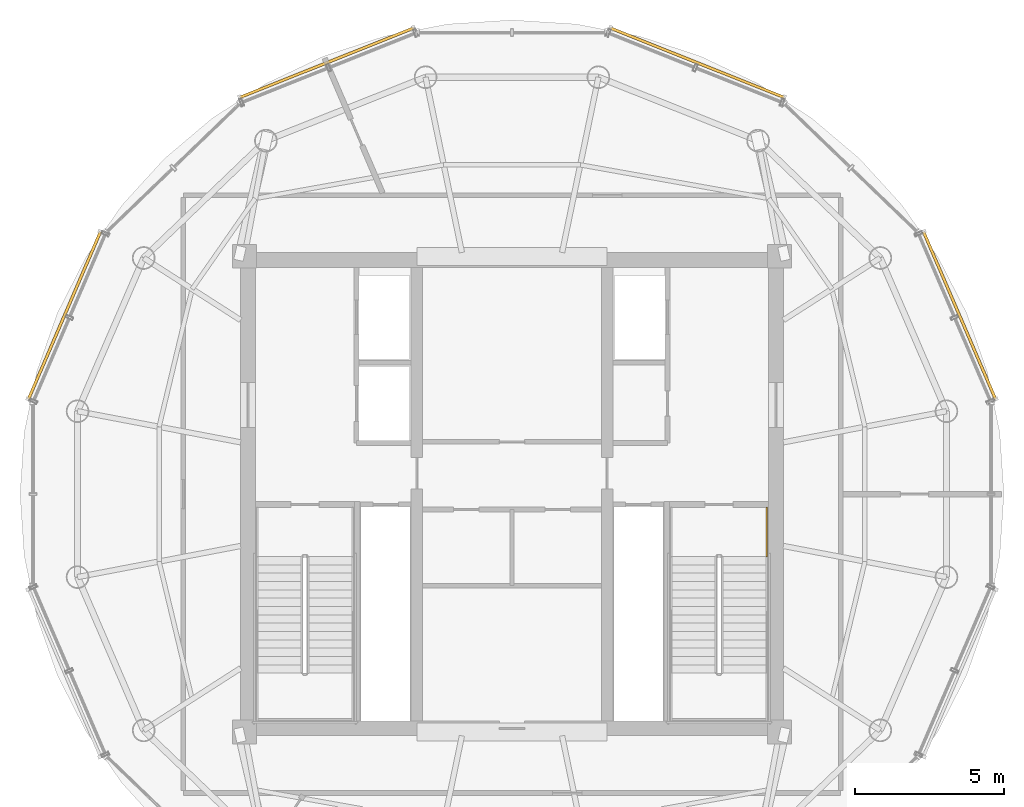
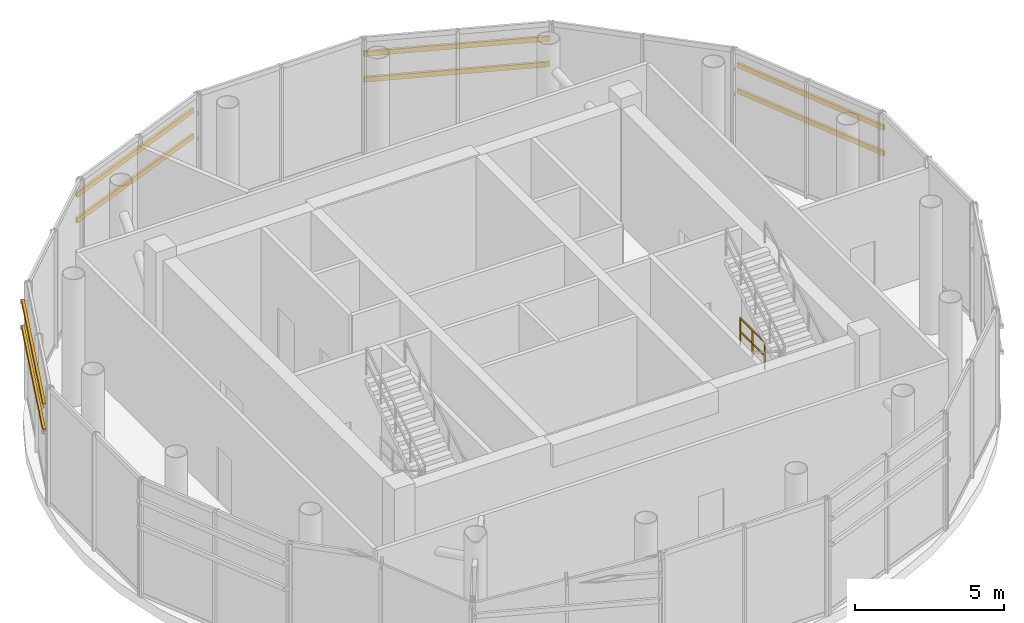
# One storey, part 14 of 14: 8 shading devices, 1 railing.
"""IFC4 building model written with IfcOpenShell, lengths in metres."""

from ifc_helpers import new_model, si_unit, direction, frame, origin, origin_2d, place, context, subcontext, project, spatial, rectangle, hollow_rectangle, extrude, source, transform, mapped, material, material_profile, profile_set, type_object, element, save


model = new_model("IFC4")

# Units and contexts
model_context = context("Model", 3, precision=1e-05, world=origin(), true_north=direction((-0.2419218956, 0.970295726276)))
body_context = subcontext(model_context, "Body", "Model", "MODEL_VIEW")
ifc_project = project(units=[si_unit("LENGTHUNIT", "METRE"), si_unit("AREAUNIT", "SQUARE_METRE"), si_unit("VOLUMEUNIT", "CUBIC_METRE"), si_unit("PLANEANGLEUNIT", "RADIAN"), si_unit("MASSUNIT", "GRAM", prefix="KILO")], contexts=[model_context])

# Site, building, storey
site_placement = place(None, origin())
site = spatial("IfcSite", under=ifc_project, at=site_placement, CompositionType="ELEMENT")
building_placement = place(site_placement, origin())
building = spatial("IfcBuilding", under=site, at=building_placement, Name="Cobrevalo Terracotta Tower", CompositionType="ELEMENT")
storey_placement = place(building_placement, frame((0.0, 0.0, 326.89990234375)))
storey = spatial("IfcBuildingStorey", under=building, at=storey_placement, Name="L84", CompositionType="ELEMENT", Elevation=326.89990234375)

# Railing
ifc_material_1 = material(Name="Painted galvanized steel", Category="steel")
railing_type = type_object("IfcRailingType", Name="Stair Well Guard Balustrade 1150", PredefinedType="GUARDRAIL", material=ifc_material_1)
railing_placement = place(storey_placement, frame((46.574951171875, 26.35009765625, 0.0)))
element("IfcRailing", 1, at=railing_placement, inside=storey, type_object=railing_type, Name="L84 ST-2 stair guard 9", PredefinedType="GUARDRAIL", context=body_context, shape_type="SweptSolid", body=[
    extrude(rectangle(XDim=0.048095703125, YDim=0.048095703125, at=origin_2d()), frame((0.0, 0.0, 1.1259765625), z_axis=(0.0, -1.0, 0.0), x_axis=(1.0, 0.0, 0.0)), (0.0, 0.0, 1.0), 1.650146484375),
    extrude(rectangle(XDim=0.048095703125, YDim=0.048095703125, at=origin_2d()), frame((0.0, 0.0, 0.574951171875), z_axis=(0.0, -1.0, 0.0), x_axis=(1.0, 0.0, 0.0)), (0.0, 0.0, 1.0), 1.650146484375),
    extrude(rectangle(XDim=0.0419921875, YDim=0.0419921875, at=origin_2d()), origin(), (0.0, 0.0, 1.0), 1.101806640625),
    extrude(rectangle(XDim=0.0419921875, YDim=0.0419921875, at=origin_2d()), frame((0.0, -0.8251953125, 0.0)), (0.0, 0.0, 1.0), 1.101806640625),
    extrude(rectangle(XDim=0.0419921875, YDim=0.0419921875, at=origin_2d()), frame((0.0, -1.650146484375, 0.0)), (0.0, 0.0, 1.0), 1.101806640625),
])

# Shading devices
ifc_material_2 = material(Name="Extruded fired architectural terracotta", Category="masonry")
ifc_material_profile = material_profile(ifc_material_2, hollow_rectangle(XDim=0.094970703125, YDim=0.199951171875, WallThickness=0.01611328125, at=origin_2d()), Name="BAGUETTE 95x200")
ifc_profile_set = profile_set([ifc_material_profile], Name="Extruded fired architectural terracotta")
shading_device_type = type_object("IfcShadingDeviceType", Name="Upper-Zone Terracotta Baguette Screen 95x200", PredefinedType="USERDEFINED", material=ifc_profile_set)
shared_shape_1 = source(origin(), body_context, "Body", "SweptSolid", [
    extrude(hollow_rectangle(XDim=0.094970703125, YDim=0.199951171875, WallThickness=0.01611328125, at=origin_2d()), origin(), (0.0, 0.0, 1.0), 6.13134765625),
])
for number, where, z_axis, x_axis, name in (
    (2, (54.263916015625, 29.99609375, 2.963623046875), (-0.394961883587, 0.918697507623, 0.0), (-0.918697507623, -0.394961883587, 0.0), "CW-CRN-L84-S01 horizontal terracotta baguette 1"),
    (3, (54.263916015625, 29.99609375, 4.015380859375), (-0.394961883587, 0.918697507623, 0.0), (-0.918697507623, -0.394961883587, 0.0), "CW-CRN-L84-S01 horizontal terracotta baguette 2"),
    (4, (24.15771484375, 35.62890625, 2.963623046875), (-0.394961883587, -0.918697507623, 0.0), (0.918697507623, -0.394961883587, 0.0), "CW-CRN-L84-S07 horizontal terracotta baguette 1"),
    (5, (24.15771484375, 35.62890625, 4.015380859375), (-0.394961883587, -0.918697507623, 0.0), (0.918697507623, -0.394961883587, 0.0), "CW-CRN-L84-S07 horizontal terracotta baguette 2"),
):
    element("IfcShadingDevice", number, at=place(storey_placement, frame(where, z_axis=z_axis, x_axis=x_axis)), inside=storey, type_object=shading_device_type, Name=name, ObjectType="BAGUETTE", PredefinedType="USERDEFINED", context=body_context, shape_type="MappedRepresentation", body=[
        mapped(shared_shape_1, transform((0.0, 0.0, 0.0), scale=1.0)),
    ])
shared_shape_2 = source(origin(), body_context, "Body", "SweptSolid", [
    extrude(hollow_rectangle(XDim=0.094970703125, YDim=0.199951171875, WallThickness=0.01611328125, at=origin_2d()), origin(), (0.0, 0.0, 1.0), 6.296875),
])
for number, where, z_axis, x_axis, name in (
    (6, (47.157470703125, 40.144287109375, 2.963623046875), (-0.928770528093, 0.37065523893, 0.0), (-0.37065523893, -0.928770528093, 0.0), "CW-CRN-L84-S03 horizontal terracotta baguette 1"),
    (7, (47.157470703125, 40.144287109375, 4.015380859375), (-0.928770528093, 0.37065523893, 0.0), (-0.37065523893, -0.928770528093, 0.0), "CW-CRN-L84-S03 horizontal terracotta baguette 2"),
    (8, (34.69091796875, 42.478271484375, 2.963623046875), (-0.928770528093, -0.37065523893, 0.0), (0.37065523893, -0.928770528093, 0.0), "CW-CRN-L84-S05 horizontal terracotta baguette 1"),
    (9, (34.69091796875, 42.478271484375, 4.015380859375), (-0.928770528093, -0.37065523893, 0.0), (0.37065523893, -0.928770528093, 0.0), "CW-CRN-L84-S05 horizontal terracotta baguette 2"),
):
    element("IfcShadingDevice", number, at=place(storey_placement, frame(where, z_axis=z_axis, x_axis=x_axis)), inside=storey, type_object=shading_device_type, Name=name, ObjectType="BAGUETTE", PredefinedType="USERDEFINED", context=body_context, shape_type="MappedRepresentation", body=[
        mapped(shared_shape_2, transform((0.0, 0.0, 0.0), scale=1.0)),
    ])

save(model, "model.ifc")
